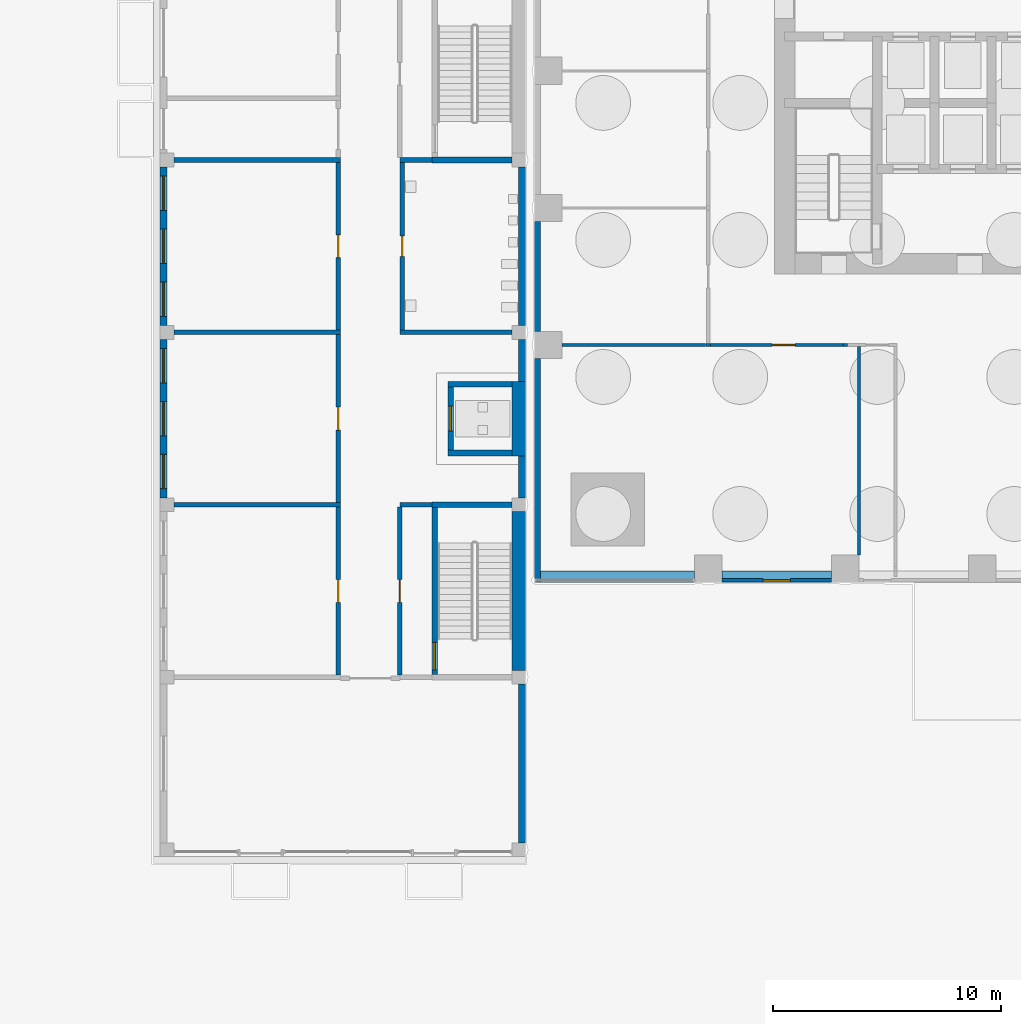
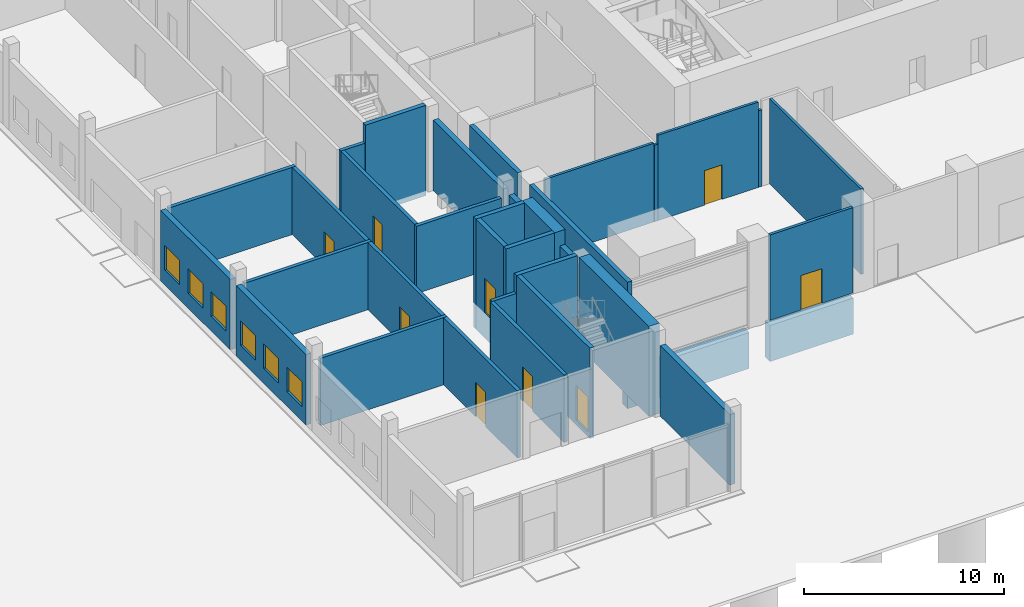
# One storey, part 10 of 33: 35 walls, 9 doors, 6 windows, 15 openings.
"""IFC4 building model written with IfcOpenShell, lengths in metres."""

from ifc_helpers import new_model, si_unit, direction, frame, frame_2d, origin, place, context, subcontext, project, spatial, rectangle, extrude, material, layer, layer_set, type_object, element, fill, save


model = new_model("IFC4")

# Units and contexts
model_context = context("Model", 3, precision=1e-05, world=origin(), true_north=direction((0.0, 1.0)))
body_context = subcontext(model_context, "Body", "Model", "MODEL_VIEW")
ifc_project = project(units=[si_unit("LENGTHUNIT", "METRE"), si_unit("AREAUNIT", "SQUARE_METRE"), si_unit("VOLUMEUNIT", "CUBIC_METRE"), si_unit("PLANEANGLEUNIT", "RADIAN"), si_unit("MASSUNIT", "GRAM", prefix="KILO")], contexts=[model_context])

# Site, building, storey
site_placement = place(None, origin())
site = spatial("IfcSite", under=ifc_project, at=site_placement, CompositionType="ELEMENT")
building_placement = place(site_placement, origin())
building = spatial("IfcBuilding", under=site, at=building_placement, Name="Amberfall Residences", CompositionType="ELEMENT")
storey_placement = place(building_placement, origin())
storey = spatial("IfcBuildingStorey", under=building, at=storey_placement, Name="L00", CompositionType="ELEMENT", Elevation=0.0)

# Wall, opening, door
ifc_material_1 = material(Name="Bronze anodised aluminium frame", Category="aluminium")
ifc_layer_1 = layer(ifc_material_1, 0.159912109375)
ifc_layer_set_1 = layer_set([ifc_layer_1], Name="Entrance frame wall 160")
wall_type_1 = type_object("IfcWallType", Name="Entrance frame wall 160", PredefinedType="SOLIDWALL", material=ifc_layer_set_1)
wall_1_placement = place(storey_placement, frame((60.199951171875, 20.10009765625, 0.0), z_axis=(0.0, 0.0, 1.0), x_axis=(1.0, 0.0, 0.0)))
wall_1 = element("IfcWall", 1, at=wall_1_placement, inside=storey, type_object=wall_type_1, Name="Entrance frame wall S2", PredefinedType="SOLIDWALL", context=body_context, shape_type="SweptSolid", body=[
    extrude(rectangle(XDim=4.800048828125, YDim=0.159912109375, at=frame_2d((2.39990234375, 0.0))), origin(), (0.0, 0.0, 1.0), 5.199951171875),
])
opening_1_placement = place(wall_1_placement, frame((1.800048828125, 0.0, 0.0)))
opening_1 = element("IfcOpeningElement", 2, at=opening_1_placement, cuts=wall_1, Name="Opening D14", PredefinedType="OPENING", context=body_context, shape_type="SweptSolid", body=[
    extrude(rectangle(XDim=1.199951171875, YDim=2.10009765625, at=frame_2d((0.60009765625, 1.050048828125))), frame((0.0, 0.08984375, 0.0), z_axis=(0.0, -1.0, 0.0), x_axis=(1.0, 0.0, 0.0)), (0.0, 0.0, 1.0), 0.179931640625),
])
ifc_material_2 = material(Name="Galvanised steel door leaf", Category="steel")
door_type_1 = type_object("IfcDoorType", Name="External door 1200x2100", OperationType="SINGLE_SWING_LEFT", PredefinedType="DOOR", material=ifc_material_2)
door_1_placement = place(opening_1_placement, origin())
door_1 = element("IfcDoor", 3, at=door_1_placement, inside=storey, type_object=door_type_1, Name="Exit door", OperationType="SINGLE_SWING_LEFT", OverallHeight=2.10009765625, OverallWidth=1.199951171875, PredefinedType="DOOR", context=body_context, shape_type="SweptSolid", body=[
    extrude(rectangle(XDim=1.199951171875, YDim=2.10009765625, at=frame_2d((0.60009765625, 1.050048828125))), frame((0.0, 0.02490234375, 0.0), z_axis=(0.0, -1.0, 0.0), x_axis=(1.0, 0.0, 0.0)), (0.0, 0.0, 1.0), 0.050048828125),
])
fill(opening_1, door_1)

# Walls
ifc_material_3 = material(Name="Concrete C45", Category="concrete")
ifc_layer_2 = layer(ifc_material_3, 0.5)
ifc_layer_set_2 = layer_set([ifc_layer_2], Name="Foundation plinth wall 500 C45")
wall_type_2 = type_object("IfcWallType", Name="Foundation plinth wall 500 C45", PredefinedType="SOLIDWALL", material=ifc_layer_set_2)
wall_2_placement = place(storey_placement, frame((52.0, 20.25, -2.5), z_axis=(0.0, 0.0, 1.0), x_axis=(1.0, 0.0, 0.0)))
element("IfcWall", 4, at=wall_2_placement, inside=storey, type_object=wall_type_2, Name="Foundation plinth wall FW1 S1", PredefinedType="SOLIDWALL", context=body_context, shape_type="SweptSolid", body=[
    extrude(rectangle(XDim=7.0, YDim=0.5, at=frame_2d((3.5, 0.0))), origin(), (0.0, 0.0, 1.0), 2.199951171875),
])
wall_3_placement = place(storey_placement, frame((60.199951171875, 20.25, -2.5), z_axis=(0.0, 0.0, 1.0), x_axis=(1.0, 0.0, 0.0)))
element("IfcWall", 5, at=wall_3_placement, inside=storey, type_object=wall_type_2, Name="Foundation plinth wall FW1 S2", PredefinedType="SOLIDWALL", context=body_context, shape_type="SweptSolid", body=[
    extrude(rectangle(XDim=4.800048828125, YDim=0.5, at=frame_2d((2.39990234375, 0.0))), origin(), (0.0, 0.0, 1.0), 2.199951171875),
])
ifc_material_4 = material(Name="Fire-rated gypsum board on steel studs", Category="steel")
ifc_layer_3 = layer(ifc_material_4, 0.14990234375)
ifc_layer_set_3 = layer_set([ifc_layer_3], Name="Partition 150 fire-rated")
wall_type_3 = type_object("IfcWallType", Name="Partition 150 fire-rated", PredefinedType="PARTITIONING", material=ifc_layer_set_3)
wall_4_placement = place(storey_placement, frame((53.199951171875, 30.39990234375, 0.0), z_axis=(0.0, 0.0, 1.0), x_axis=(1.0, 0.0, 0.0)))
element("IfcWall", 6, at=wall_4_placement, inside=storey, type_object=wall_type_3, Name="Partition 150 fire-rated L00 001", PredefinedType="PARTITIONING", context=body_context, shape_type="SweptSolid", body=[
    extrude(rectangle(XDim=6.280029296875, YDim=0.14990234375, at=frame_2d((3.14013671875, 0.0))), origin(), (0.0, 0.0, 1.0), 4.797119140625),
])
wall_5_placement = place(storey_placement, frame((59.49462890625, 30.39990234375, 0.0), z_axis=(0.0, 0.0, 1.0), x_axis=(1.0, 0.0, 0.0)))
element("IfcWall", 7, at=wall_5_placement, inside=storey, type_object=wall_type_3, Name="Partition 150 fire-rated L00 002", PredefinedType="PARTITIONING", context=body_context, shape_type="SweptSolid", body=[
    extrude(rectangle(XDim=0.210693359375, YDim=0.14990234375, at=frame_2d((0.10546875, 0.0))), origin(), (0.0, 0.0, 1.0), 4.659912109375),
])

# Wall, opening, door
wall_6_placement = place(storey_placement, frame((59.705322265625, 30.39990234375, 0.0), z_axis=(0.0, 0.0, 1.0), x_axis=(1.0, 0.0, 0.0)))
wall_6 = element("IfcWall", 8, at=wall_6_placement, inside=storey, type_object=wall_type_3, Name="Partition 150 fire-rated L00 003", PredefinedType="PARTITIONING", context=body_context, shape_type="SweptSolid", body=[
    extrude(rectangle(XDim=5.789306640625, YDim=0.14990234375, at=frame_2d((2.89453125, 0.0))), origin(), (0.0, 0.0, 1.0), 5.199951171875),
])
opening_2_placement = place(wall_6_placement, frame((2.694580078125, 0.0, 0.0)))
opening_2 = element("IfcOpeningElement", 9, at=opening_2_placement, cuts=wall_6, Name="Opening D2", PredefinedType="OPENING", context=body_context, shape_type="SweptSolid", body=[
    extrude(rectangle(XDim=1.0, YDim=2.10009765625, at=frame_2d((0.5, 1.050048828125))), frame((0.0, 0.0849609375, 0.0), z_axis=(0.0, -1.0, 0.0), x_axis=(1.0, 0.0, 0.0)), (0.0, 0.0, 1.0), 0.169921875),
])
ifc_material_5 = material(Name="Steel fire door leaf", Category="steel")
door_type_2 = type_object("IfcDoorType", Name="Fire door 1000x2100 FD30S", OperationType="SINGLE_SWING_LEFT", PredefinedType="DOOR", material=ifc_material_5)
door_2_placement = place(opening_2_placement, origin())
door_2 = element("IfcDoor", 10, at=door_2_placement, inside=storey, type_object=door_type_2, Name="Door Concierge and mail room", OperationType="SINGLE_SWING_LEFT", OverallHeight=2.10009765625, OverallWidth=1.0, PredefinedType="DOOR", context=body_context, shape_type="SweptSolid", body=[
    extrude(rectangle(XDim=1.0, YDim=2.10009765625, at=frame_2d((0.5, 1.050048828125))), frame((0.0, 0.02490234375, 0.0), z_axis=(0.0, -1.0, 0.0), x_axis=(1.0, 0.0, 0.0)), (0.0, 0.0, 1.0), 0.050048828125),
])
fill(opening_2, door_2)

# Walls
wall_7_placement = place(storey_placement, frame((65.49462890625, 30.39990234375, 0.0), z_axis=(0.0, 0.0, 1.0), x_axis=(1.0, 0.0, 0.0)))
element("IfcWall", 11, at=wall_7_placement, inside=storey, type_object=wall_type_3, Name="Partition 150 fire-rated L00 004", PredefinedType="PARTITIONING", context=body_context, shape_type="SweptSolid", body=[
    extrude(rectangle(XDim=0.210693359375, YDim=0.14990234375, at=frame_2d((0.10546875, 0.0))), origin(), (0.0, 0.0, 1.0), 4.659912109375),
])
wall_8_placement = place(storey_placement, frame((66.199951171875, 21.199951171875, 0.0), z_axis=(0.0, 0.0, 1.0), x_axis=(0.0, 1.0, 0.0)))
element("IfcWall", 12, at=wall_8_placement, inside=storey, type_object=wall_type_3, Name="Partition 150 fire-rated L00 033", PredefinedType="PARTITIONING", context=body_context, shape_type="SweptSolid", body=[
    extrude(rectangle(XDim=9.125, YDim=0.14990234375, at=frame_2d((4.5625, 0.0))), origin(), (0.0, 0.0, 1.0), 5.199951171875),
])
ifc_material_6 = material(Name="Precast concrete C40", Category="concrete")
ifc_layer_4 = layer(ifc_material_6, 0.25)
ifc_layer_set_4 = layer_set([ifc_layer_4], Name="Podium external wall 250")
wall_type_4 = type_object("IfcWallType", Name="Podium external wall 250", PredefinedType="SOLIDWALL", material=ifc_layer_set_4)
wall_9_placement = place(storey_placement, frame((52.125, 20.0, 0.0), z_axis=(0.0, 0.0, 1.0), x_axis=(0.0, 1.0, 0.0)))
element("IfcWall", 13, at=wall_9_placement, inside=storey, type_object=wall_type_4, Name="Podium external wall W1", PredefinedType="SOLIDWALL", context=body_context, shape_type="SweptSolid", body=[
    extrude(rectangle(XDim=9.800048828125, YDim=0.25, at=frame_2d((4.89990234375, 0.0))), origin(), (0.0, 0.0, 1.0), 5.199951171875),
])
wall_10_placement = place(storey_placement, frame((52.125, 31.0, 0.0), z_axis=(0.0, 0.0, 1.0), x_axis=(0.0, 1.0, 0.0)))
element("IfcWall", 14, at=wall_10_placement, inside=storey, type_object=wall_type_4, Name="Podium external wall W2", PredefinedType="SOLIDWALL", context=body_context, shape_type="SweptSolid", body=[
    extrude(rectangle(XDim=4.800048828125, YDim=0.25, at=frame_2d((2.39990234375, 0.0))), origin(), (0.0, 0.0, 1.0), 5.199951171875),
])

# Wall, openings, windows
ifc_material_7 = material(Name="Aerated block wall")
ifc_layer_5 = layer(ifc_material_7, 0.300048828125)
ifc_layer_set_5 = layer_set([ifc_layer_5], Name="School external wall 300")
wall_type_5 = type_object("IfcWallType", Name="School external wall 300", PredefinedType="SOLIDWALL", material=ifc_layer_set_5)
wall_11_placement = place(storey_placement, frame((35.75, 23.699951171875, 0.0), z_axis=(0.0, 0.0, 1.0), x_axis=(0.0, 1.0, 0.0)))
wall_11 = element("IfcWall", 15, at=wall_11_placement, inside=storey, type_object=wall_type_5, Name="School external wall L00 EW2", PredefinedType="SOLIDWALL", context=body_context, shape_type="SweptSolid", body=[
    extrude(rectangle(XDim=6.949951171875, YDim=0.300048828125, at=frame_2d((3.47509765625, 0.0))), origin(), (0.0, 0.0, 1.0), 4.300048828125),
])
opening_3_placement = place(wall_11_placement, frame((0.408203125, 0.0, 0.89990234375)))
opening_3 = element("IfcOpeningElement", 16, at=opening_3_placement, cuts=wall_11, Name="Opening SWN1", PredefinedType="OPENING", context=body_context, shape_type="SweptSolid", body=[
    extrude(rectangle(XDim=1.5, YDim=1.5, at=frame_2d((0.75, 0.75))), frame((0.0, 0.159912109375, 0.0), z_axis=(0.0, -1.0, 0.0), x_axis=(1.0, 0.0, 0.0)), (0.0, 0.0, 1.0), 0.320068359375),
])
opening_4_placement = place(wall_11_placement, frame((2.72509765625, 0.0, 0.89990234375)))
opening_4 = element("IfcOpeningElement", 17, at=opening_4_placement, cuts=wall_11, Name="Opening SWN1", PredefinedType="OPENING", context=body_context, shape_type="SweptSolid", body=[
    extrude(rectangle(XDim=1.5, YDim=1.5, at=frame_2d((0.75, 0.75))), frame((0.0, 0.159912109375, 0.0), z_axis=(0.0, -1.0, 0.0), x_axis=(1.0, 0.0, 0.0)), (0.0, 0.0, 1.0), 0.320068359375),
])
opening_5_placement = place(wall_11_placement, frame((5.041748046875, 0.0, 0.89990234375)))
opening_5 = element("IfcOpeningElement", 18, at=opening_5_placement, cuts=wall_11, Name="Opening SWN1", PredefinedType="OPENING", context=body_context, shape_type="SweptSolid", body=[
    extrude(rectangle(XDim=1.5, YDim=1.5, at=frame_2d((0.75, 0.75))), frame((0.0, 0.159912109375, 0.0), z_axis=(0.0, -1.0, 0.0), x_axis=(1.0, 0.0, 0.0)), (0.0, 0.0, 1.0), 0.320068359375),
])
ifc_material_8 = material(Name="Aluminium window", Category="aluminium")
window_type = type_object("IfcWindowType", Name="School window 1500 x 1500", PartitioningType="DOUBLE_PANEL_HORIZONTAL", PredefinedType="WINDOW", material=ifc_material_8)
window_1_placement = place(opening_3_placement, origin())
window_1 = element("IfcWindow", 19, at=window_1_placement, inside=storey, type_object=window_type, Name="School window L00 EW2-1", OverallHeight=1.5, OverallWidth=1.5, PartitioningType="DOUBLE_PANEL_HORIZONTAL", PredefinedType="WINDOW", context=body_context, shape_type="SweptSolid", body=[
    extrude(rectangle(XDim=1.5, YDim=1.5, at=frame_2d((0.75, 0.75))), frame((0.0, 0.030029296875, 0.0), z_axis=(0.0, -1.0, 0.0), x_axis=(1.0, 0.0, 0.0)), (0.0, 0.0, 1.0), 0.06005859375),
])
fill(opening_3, window_1)
window_2_placement = place(opening_4_placement, origin())
window_2 = element("IfcWindow", 20, at=window_2_placement, inside=storey, type_object=window_type, Name="School window L00 EW2-2", OverallHeight=1.5, OverallWidth=1.5, PartitioningType="DOUBLE_PANEL_HORIZONTAL", PredefinedType="WINDOW", context=body_context, shape_type="SweptSolid", body=[
    extrude(rectangle(XDim=1.5, YDim=1.5, at=frame_2d((0.75, 0.75))), frame((0.0, 0.030029296875, 0.0), z_axis=(0.0, -1.0, 0.0), x_axis=(1.0, 0.0, 0.0)), (0.0, 0.0, 1.0), 0.06005859375),
])
fill(opening_4, window_2)
window_3_placement = place(opening_5_placement, origin())
window_3 = element("IfcWindow", 21, at=window_3_placement, inside=storey, type_object=window_type, Name="School window L00 EW2-3", OverallHeight=1.5, OverallWidth=1.5, PartitioningType="DOUBLE_PANEL_HORIZONTAL", PredefinedType="WINDOW", context=body_context, shape_type="SweptSolid", body=[
    extrude(rectangle(XDim=1.5, YDim=1.5, at=frame_2d((0.75, 0.75))), frame((0.0, 0.030029296875, 0.0), z_axis=(0.0, -1.0, 0.0), x_axis=(1.0, 0.0, 0.0)), (0.0, 0.0, 1.0), 0.06005859375),
])
fill(opening_5, window_3)

wall_12_placement = place(storey_placement, frame((35.75, 31.25, 0.0), z_axis=(0.0, 0.0, 1.0), x_axis=(0.0, 1.0, 0.0)))
wall_12 = element("IfcWall", 22, at=wall_12_placement, inside=storey, type_object=wall_type_5, Name="School external wall L00 EW3", PredefinedType="SOLIDWALL", context=body_context, shape_type="SweptSolid", body=[
    extrude(rectangle(XDim=6.949951171875, YDim=0.300048828125, at=frame_2d((3.47509765625, 0.0))), origin(), (0.0, 0.0, 1.0), 4.300048828125),
])
opening_6_placement = place(wall_12_placement, frame((0.408203125, 0.0, 0.89990234375)))
opening_6 = element("IfcOpeningElement", 23, at=opening_6_placement, cuts=wall_12, Name="Opening SWN1", PredefinedType="OPENING", context=body_context, shape_type="SweptSolid", body=[
    extrude(rectangle(XDim=1.5, YDim=1.5, at=frame_2d((0.75, 0.75))), frame((0.0, 0.159912109375, 0.0), z_axis=(0.0, -1.0, 0.0), x_axis=(1.0, 0.0, 0.0)), (0.0, 0.0, 1.0), 0.320068359375),
])
opening_7_placement = place(wall_12_placement, frame((2.72509765625, 0.0, 0.89990234375)))
opening_7 = element("IfcOpeningElement", 24, at=opening_7_placement, cuts=wall_12, Name="Opening SWN1", PredefinedType="OPENING", context=body_context, shape_type="SweptSolid", body=[
    extrude(rectangle(XDim=1.5, YDim=1.5, at=frame_2d((0.75, 0.75))), frame((0.0, 0.159912109375, 0.0), z_axis=(0.0, -1.0, 0.0), x_axis=(1.0, 0.0, 0.0)), (0.0, 0.0, 1.0), 0.320068359375),
])
opening_8_placement = place(wall_12_placement, frame((5.041748046875, 0.0, 0.89990234375)))
opening_8 = element("IfcOpeningElement", 25, at=opening_8_placement, cuts=wall_12, Name="Opening SWN1", PredefinedType="OPENING", context=body_context, shape_type="SweptSolid", body=[
    extrude(rectangle(XDim=1.5, YDim=1.5, at=frame_2d((0.75, 0.75))), frame((0.0, 0.159912109375, 0.0), z_axis=(0.0, -1.0, 0.0), x_axis=(1.0, 0.0, 0.0)), (0.0, 0.0, 1.0), 0.320068359375),
])
window_4_placement = place(opening_6_placement, origin())
window_4 = element("IfcWindow", 26, at=window_4_placement, inside=storey, type_object=window_type, Name="School window L00 EW3-1", OverallHeight=1.5, OverallWidth=1.5, PartitioningType="DOUBLE_PANEL_HORIZONTAL", PredefinedType="WINDOW", context=body_context, shape_type="SweptSolid", body=[
    extrude(rectangle(XDim=1.5, YDim=1.5, at=frame_2d((0.75, 0.75))), frame((0.0, 0.030029296875, 0.0), z_axis=(0.0, -1.0, 0.0), x_axis=(1.0, 0.0, 0.0)), (0.0, 0.0, 1.0), 0.06005859375),
])
fill(opening_6, window_4)
window_5_placement = place(opening_7_placement, origin())
window_5 = element("IfcWindow", 27, at=window_5_placement, inside=storey, type_object=window_type, Name="School window L00 EW3-2", OverallHeight=1.5, OverallWidth=1.5, PartitioningType="DOUBLE_PANEL_HORIZONTAL", PredefinedType="WINDOW", context=body_context, shape_type="SweptSolid", body=[
    extrude(rectangle(XDim=1.5, YDim=1.5, at=frame_2d((0.75, 0.75))), frame((0.0, 0.030029296875, 0.0), z_axis=(0.0, -1.0, 0.0), x_axis=(1.0, 0.0, 0.0)), (0.0, 0.0, 1.0), 0.06005859375),
])
fill(opening_7, window_5)
window_6_placement = place(opening_8_placement, origin())
window_6 = element("IfcWindow", 28, at=window_6_placement, inside=storey, type_object=window_type, Name="School window L00 EW3-3", OverallHeight=1.5, OverallWidth=1.5, PartitioningType="DOUBLE_PANEL_HORIZONTAL", PredefinedType="WINDOW", context=body_context, shape_type="SweptSolid", body=[
    extrude(rectangle(XDim=1.5, YDim=1.5, at=frame_2d((0.75, 0.75))), frame((0.0, 0.030029296875, 0.0), z_axis=(0.0, -1.0, 0.0), x_axis=(1.0, 0.0, 0.0)), (0.0, 0.0, 1.0), 0.06005859375),
])
fill(opening_8, window_6)

# Walls
for number, where, z_axis, x_axis, name in (
    (29, (51.449951171875, 8.60009765625, 0.0), (0.0, 0.0, 1.0), (0.0, 1.0, 0.0), "School external wall L00 ET0"),
    (30, (51.449951171875, 31.25, 0.0), (0.0, 0.0, 1.0), (0.0, 1.0, 0.0), "School external wall L00 ET3"),
):
    element("IfcWall", number, at=place(storey_placement, frame(where, z_axis=z_axis, x_axis=x_axis)), inside=storey, type_object=wall_type_5, Name=name, PredefinedType="SOLIDWALL", context=body_context, shape_type="SweptSolid", body=[
        extrude(rectangle(XDim=6.949951171875, YDim=0.300048828125, at=frame_2d((3.47509765625, 0.0))), origin(), (0.0, 0.0, 1.0), 4.300048828125),
    ])
wall_13_placement = place(storey_placement, frame((51.449951171875, 23.699951171875, 0.0), z_axis=(0.0, 0.0, 1.0), x_axis=(0.0, 1.0, 0.0)))
element("IfcWall", 31, at=wall_13_placement, inside=storey, type_object=wall_type_5, Name="School external wall L00 ET2a", PredefinedType="SOLIDWALL", context=body_context, shape_type="SweptSolid", body=[
    extrude(rectangle(XDim=1.85009765625, YDim=0.300048828125, at=frame_2d((0.925048828125, 0.0))), origin(), (0.0, 0.0, 1.0), 4.300048828125),
])
wall_14_placement = place(storey_placement, frame((51.449951171875, 28.800048828125, 0.0), z_axis=(0.0, 0.0, 1.0), x_axis=(0.0, 1.0, 0.0)))
element("IfcWall", 32, at=wall_14_placement, inside=storey, type_object=wall_type_5, Name="School external wall L00 ET2b", PredefinedType="SOLIDWALL", context=body_context, shape_type="SweptSolid", body=[
    extrude(rectangle(XDim=1.849853515625, YDim=0.300048828125, at=frame_2d((0.9248046875, 0.0))), origin(), (0.0, 0.0, 1.0), 4.300048828125),
])

# Wall, opening, door
ifc_layer_6 = layer(ifc_material_7, 0.199951171875)
ifc_layer_set_6 = layer_set([ifc_layer_6], Name="School partition 200")
wall_type_6 = type_object("IfcWallType", Name="School partition 200", PredefinedType="PARTITIONING", material=ifc_layer_set_6)
wall_15_placement = place(storey_placement, frame((43.39990234375, 15.949951171875, 0.0), z_axis=(0.0, 0.0, 1.0), x_axis=(0.0, 1.0, 0.0)))
wall_15 = element("IfcWall", 33, at=wall_15_placement, inside=storey, type_object=wall_type_6, Name="School partition L00 CWW1", PredefinedType="PARTITIONING", context=body_context, shape_type="SweptSolid", body=[
    extrude(rectangle(XDim=7.35009765625, YDim=0.199951171875, at=frame_2d((3.675048828125, 0.0))), origin(), (0.0, 0.0, 1.0), 4.10009765625),
])
opening_9_placement = place(wall_15_placement, frame((3.175048828125, 0.0, 0.0)))
opening_9 = element("IfcOpeningElement", 34, at=opening_9_placement, cuts=wall_15, Name="Opening SD5", PredefinedType="OPENING", context=body_context, shape_type="SweptSolid", body=[
    extrude(rectangle(XDim=1.0, YDim=2.10009765625, at=frame_2d((0.5, 1.050048828125))), frame((0.0, 0.10986328125, 0.0), z_axis=(0.0, -1.0, 0.0), x_axis=(1.0, 0.0, 0.0)), (0.0, 0.0, 1.0), 0.219970703125),
])
ifc_material_9 = material(Name="Timber door", Category="wood")
door_type_3 = type_object("IfcDoorType", Name="School classroom door 1000 x 2100", OperationType="SINGLE_SWING_LEFT", PredefinedType="DOOR", material=ifc_material_9)
door_3_placement = place(opening_9_placement, origin())
door_3 = element("IfcDoor", 35, at=door_3_placement, inside=storey, type_object=door_type_3, Name="School door L00 CWW1-1", OperationType="SINGLE_SWING_LEFT", OverallHeight=2.10009765625, OverallWidth=1.0, PredefinedType="DOOR", context=body_context, shape_type="SweptSolid", body=[
    extrude(rectangle(XDim=1.0, YDim=2.10009765625, at=frame_2d((0.5, 1.050048828125))), frame((0.0, 0.02490234375, 0.0), z_axis=(0.0, -1.0, 0.0), x_axis=(1.0, 0.0, 0.0)), (0.0, 0.0, 1.0), 0.050048828125),
])
fill(opening_9, door_3)

wall_16_placement = place(storey_placement, frame((43.39990234375, 23.5, 0.0), z_axis=(0.0, 0.0, 1.0), x_axis=(0.0, 1.0, 0.0)))
wall_16 = element("IfcWall", 36, at=wall_16_placement, inside=storey, type_object=wall_type_6, Name="School partition L00 CWW2", PredefinedType="PARTITIONING", context=body_context, shape_type="SweptSolid", body=[
    extrude(rectangle(XDim=7.35009765625, YDim=0.199951171875, at=frame_2d((3.675048828125, 0.0))), origin(), (0.0, 0.0, 1.0), 4.10009765625),
])
opening_10_placement = place(wall_16_placement, frame((3.175048828125, 0.0, 0.0)))
opening_10 = element("IfcOpeningElement", 37, at=opening_10_placement, cuts=wall_16, Name="Opening SD5", PredefinedType="OPENING", context=body_context, shape_type="SweptSolid", body=[
    extrude(rectangle(XDim=1.0, YDim=2.10009765625, at=frame_2d((0.5, 1.050048828125))), frame((0.0, 0.10986328125, 0.0), z_axis=(0.0, -1.0, 0.0), x_axis=(1.0, 0.0, 0.0)), (0.0, 0.0, 1.0), 0.219970703125),
])
door_4_placement = place(opening_10_placement, origin())
door_4 = element("IfcDoor", 38, at=door_4_placement, inside=storey, type_object=door_type_3, Name="School door L00 CWW2-1", OperationType="SINGLE_SWING_LEFT", OverallHeight=2.10009765625, OverallWidth=1.0, PredefinedType="DOOR", context=body_context, shape_type="SweptSolid", body=[
    extrude(rectangle(XDim=1.0, YDim=2.10009765625, at=frame_2d((0.5, 1.050048828125))), frame((0.0, 0.02490234375, 0.0), z_axis=(0.0, -1.0, 0.0), x_axis=(1.0, 0.0, 0.0)), (0.0, 0.0, 1.0), 0.050048828125),
])
fill(opening_10, door_4)

wall_17_placement = place(storey_placement, frame((43.39990234375, 31.050048828125, 0.0), z_axis=(0.0, 0.0, 1.0), x_axis=(0.0, 1.0, 0.0)))
wall_17 = element("IfcWall", 39, at=wall_17_placement, inside=storey, type_object=wall_type_6, Name="School partition L00 CWW3", PredefinedType="PARTITIONING", context=body_context, shape_type="SweptSolid", body=[
    extrude(rectangle(XDim=7.349853515625, YDim=0.199951171875, at=frame_2d((3.6748046875, 0.0))), origin(), (0.0, 0.0, 1.0), 4.10009765625),
])
opening_11_placement = place(wall_17_placement, frame((3.175048828125, 0.0, 0.0)))
opening_11 = element("IfcOpeningElement", 40, at=opening_11_placement, cuts=wall_17, Name="Opening SD5", PredefinedType="OPENING", context=body_context, shape_type="SweptSolid", body=[
    extrude(rectangle(XDim=1.0, YDim=2.10009765625, at=frame_2d((0.5, 1.050048828125))), frame((0.0, 0.10986328125, 0.0), z_axis=(0.0, -1.0, 0.0), x_axis=(1.0, 0.0, 0.0)), (0.0, 0.0, 1.0), 0.219970703125),
])
door_5_placement = place(opening_11_placement, origin())
door_5 = element("IfcDoor", 41, at=door_5_placement, inside=storey, type_object=door_type_3, Name="School door L00 CWW3-1", OperationType="SINGLE_SWING_LEFT", OverallHeight=2.10009765625, OverallWidth=1.0, PredefinedType="DOOR", context=body_context, shape_type="SweptSolid", body=[
    extrude(rectangle(XDim=1.0, YDim=2.10009765625, at=frame_2d((0.5, 1.050048828125))), frame((0.0, 0.02490234375, 0.0), z_axis=(0.0, -1.0, 0.0), x_axis=(1.0, 0.0, 0.0)), (0.0, 0.0, 1.0), 0.050048828125),
])
fill(opening_11, door_5)

# Walls
for number, where, z_axis, x_axis, name in (
    (42, (36.199951171875, 23.39990234375, 0.0), (0.0, 0.0, 1.0), (1.0, 0.0, 0.0), "School partition L00 PW2340"),
    (43, (36.199951171875, 30.949951171875, 0.0), (0.0, 0.0, 1.0), (1.0, 0.0, 0.0), "School partition L00 PW3095"),
    (44, (36.199951171875, 38.5, 0.0), (0.0, 0.0, 1.0), (1.0, 0.0, 0.0), "School partition L00 PW3850"),
):
    element("IfcWall", number, at=place(storey_placement, frame(where, z_axis=z_axis, x_axis=x_axis)), inside=storey, type_object=wall_type_6, Name=name, PredefinedType="PARTITIONING", context=body_context, shape_type="SweptSolid", body=[
        extrude(rectangle(XDim=7.300048828125, YDim=0.199951171875, at=frame_2d((3.64990234375, 0.0))), origin(), (0.0, 0.0, 1.0), 4.10009765625),
    ])

# Wall, opening, door
wall_18_placement = place(storey_placement, frame((46.199951171875, 31.050048828125, 0.0), z_axis=(0.0, 0.0, 1.0), x_axis=(0.0, 1.0, 0.0)))
wall_18 = element("IfcWall", 45, at=wall_18_placement, inside=storey, type_object=wall_type_6, Name="School partition L00 CWE331", PredefinedType="PARTITIONING", context=body_context, shape_type="SweptSolid", body=[
    extrude(rectangle(XDim=7.349853515625, YDim=0.199951171875, at=frame_2d((3.6748046875, 0.0))), origin(), (0.0, 0.0, 1.0), 4.10009765625),
])
opening_12_placement = place(wall_18_placement, frame((3.22509765625, 0.0, 0.0)))
opening_12 = element("IfcOpeningElement", 46, at=opening_12_placement, cuts=wall_18, Name="Opening SD2", PredefinedType="OPENING", context=body_context, shape_type="SweptSolid", body=[
    extrude(rectangle(XDim=0.89990234375, YDim=2.10009765625, at=frame_2d((0.449951171875, 1.050048828125))), frame((0.0, 0.10986328125, 0.0), z_axis=(0.0, -1.0, 0.0), x_axis=(1.0, 0.0, 0.0)), (0.0, 0.0, 1.0), 0.219970703125),
])
door_type_4 = type_object("IfcDoorType", Name="School WC door 900 x 2100", OperationType="SINGLE_SWING_LEFT", PredefinedType="DOOR", material=ifc_material_9)
door_6_placement = place(opening_12_placement, origin())
door_6 = element("IfcDoor", 47, at=door_6_placement, inside=storey, type_object=door_type_4, Name="School door L00 CWE331-1", OperationType="SINGLE_SWING_LEFT", OverallHeight=2.10009765625, OverallWidth=0.89990234375, PredefinedType="DOOR", context=body_context, shape_type="SweptSolid", body=[
    extrude(rectangle(XDim=0.89990234375, YDim=2.10009765625, at=frame_2d((0.449951171875, 1.050048828125))), frame((0.0, 0.02490234375, 0.0), z_axis=(0.0, -1.0, 0.0), x_axis=(1.0, 0.0, 0.0)), (0.0, 0.0, 1.0), 0.050048828125),
])
fill(opening_12, door_6)

# Walls
wall_19_placement = place(storey_placement, frame((46.10009765625, 23.39990234375, 0.0), z_axis=(0.0, 0.0, 1.0), x_axis=(1.0, 0.0, 0.0)))
element("IfcWall", 48, at=wall_19_placement, inside=storey, type_object=wall_type_6, Name="School partition L00 PEA2", PredefinedType="PARTITIONING", context=body_context, shape_type="SweptSolid", body=[
    extrude(rectangle(XDim=1.39990234375, YDim=0.199951171875, at=frame_2d((0.699951171875, 0.0))), origin(), (0.0, 0.0, 1.0), 4.10009765625),
])
wall_20_placement = place(storey_placement, frame((46.10009765625, 30.949951171875, 0.0), z_axis=(0.0, 0.0, 1.0), x_axis=(1.0, 0.0, 0.0)))
element("IfcWall", 49, at=wall_20_placement, inside=storey, type_object=wall_type_6, Name="School partition L00 PE3", PredefinedType="PARTITIONING", context=body_context, shape_type="SweptSolid", body=[
    extrude(rectangle(XDim=4.89990234375, YDim=0.199951171875, at=frame_2d((2.449951171875, 0.0))), origin(), (0.0, 0.0, 1.0), 4.10009765625),
])
wall_21_placement = place(storey_placement, frame((46.10009765625, 38.5, 0.0), z_axis=(0.0, 0.0, 1.0), x_axis=(1.0, 0.0, 0.0)))
element("IfcWall", 50, at=wall_21_placement, inside=storey, type_object=wall_type_6, Name="School partition L00 PEA4", PredefinedType="PARTITIONING", context=body_context, shape_type="SweptSolid", body=[
    extrude(rectangle(XDim=1.39990234375, YDim=0.199951171875, at=frame_2d((0.699951171875, 0.0))), origin(), (0.0, 0.0, 1.0), 4.10009765625),
])

# Wall, opening, door
wall_22_placement = place(storey_placement, frame((46.10009765625, 15.949951171875, 0.0), z_axis=(0.0, 0.0, 1.0), x_axis=(0.0, 1.0, 0.0)))
wall_22 = element("IfcWall", 51, at=wall_22_placement, inside=storey, type_object=wall_type_6, Name="School partition L00 CWLSS1", PredefinedType="PARTITIONING", context=body_context, shape_type="SweptSolid", body=[
    extrude(rectangle(XDim=7.35009765625, YDim=0.199951171875, at=frame_2d((3.675048828125, 0.0))), origin(), (0.0, 0.0, 1.0), 4.10009765625),
])
opening_13_placement = place(wall_22_placement, frame((3.175048828125, 0.0, 0.0)))
opening_13 = element("IfcOpeningElement", 52, at=opening_13_placement, cuts=wall_22, Name="Opening SD8", PredefinedType="OPENING", context=body_context, shape_type="SweptSolid", body=[
    extrude(rectangle(XDim=1.0, YDim=2.10009765625, at=frame_2d((0.5, 1.050048828125))), frame((0.0, 0.10986328125, 0.0), z_axis=(0.0, -1.0, 0.0), x_axis=(1.0, 0.0, 0.0)), (0.0, 0.0, 1.0), 0.219970703125),
])
door_type_5 = type_object("IfcDoorType", Name="School lobby door 1000 x 2100", OperationType="SINGLE_SWING_LEFT", PredefinedType="DOOR", material=ifc_material_9)
door_7_placement = place(opening_13_placement, origin())
door_7 = element("IfcDoor", 53, at=door_7_placement, inside=storey, type_object=door_type_5, Name="School door L00 CWLSS1-1", OperationType="SINGLE_SWING_LEFT", OverallHeight=2.10009765625, OverallWidth=1.0, PredefinedType="DOOR", context=body_context, shape_type="SweptSolid", body=[
    extrude(rectangle(XDim=1.0, YDim=2.10009765625, at=frame_2d((0.5, 1.050048828125))), frame((0.0, 0.02490234375, 0.0), z_axis=(0.0, -1.0, 0.0), x_axis=(1.0, 0.0, 0.0)), (0.0, 0.0, 1.0), 0.050048828125),
])
fill(opening_13, door_7)

ifc_material_10 = material(Name="Concrete C50", Category="concrete")
ifc_layer_7 = layer(ifc_material_10, 0.25)
ifc_layer_set_7 = layer_set([ifc_layer_7], Name="School stair core wall 250 C50")
wall_type_7 = type_object("IfcWallType", Name="School stair core wall 250 C50", PredefinedType="SHEAR", material=ifc_layer_set_7)
wall_23_placement = place(storey_placement, frame((47.625, 15.97509765625, -0.300048828125), z_axis=(0.0, 0.0, 1.0), x_axis=(0.0, 1.0, 0.0)))
wall_23 = element("IfcWall", 54, at=wall_23_placement, inside=storey, type_object=wall_type_7, Name="School core wall L00 SS1W", PredefinedType="SHEAR", context=body_context, shape_type="SweptSolid", body=[
    extrude(rectangle(XDim=7.2998046875, YDim=0.25, at=frame_2d((3.64990234375, 0.0))), origin(), (0.0, 0.0, 1.0), 5.5),
])
opening_14_placement = place(wall_23_placement, frame((0.199951171875, 0.0, 0.300048828125)))
opening_14 = element("IfcOpeningElement", 55, at=opening_14_placement, cuts=wall_23, Name="Opening SD4", PredefinedType="OPENING", context=body_context, shape_type="SweptSolid", body=[
    extrude(rectangle(XDim=1.199951171875, YDim=2.10009765625, at=frame_2d((0.60009765625, 1.050048828125))), frame((0.0, 0.135009765625, 0.0), z_axis=(0.0, -1.0, 0.0), x_axis=(1.0, 0.0, 0.0)), (0.0, 0.0, 1.0), 0.27001953125),
])
ifc_material_11 = material(Name="Steel fire door", Category="steel")
door_type_6 = type_object("IfcDoorType", Name="School stair door 1200 x 2100 FD120", OperationType="SINGLE_SWING_LEFT", PredefinedType="DOOR", material=ifc_material_11)
door_8_placement = place(opening_14_placement, origin())
door_8 = element("IfcDoor", 56, at=door_8_placement, inside=storey, type_object=door_type_6, Name="School stair door L00 SS1", OperationType="SINGLE_SWING_LEFT", OverallHeight=2.10009765625, OverallWidth=1.199951171875, PredefinedType="DOOR", context=body_context, shape_type="SweptSolid", body=[
    extrude(rectangle(XDim=1.199951171875, YDim=2.10009765625, at=frame_2d((0.60009765625, 1.050048828125))), frame((0.0, 0.02490234375, 0.0), z_axis=(0.0, -1.0, 0.0), x_axis=(1.0, 0.0, 0.0)), (0.0, 0.0, 1.0), 0.050048828125),
])
fill(opening_14, door_8)

# Walls
for number, where, z_axis, x_axis, name in (
    (57, (47.5, 23.39990234375, -0.300048828125), (0.0, 0.0, 1.0), (1.0, 0.0, 0.0), "School core wall L00 SS1N"),
    (58, (47.5, 38.5, -0.300048828125), (0.0, 0.0, 1.0), (1.0, 0.0, 0.0), "School core wall L00 SS2S"),
):
    element("IfcWall", number, at=place(storey_placement, frame(where, z_axis=z_axis, x_axis=x_axis)), inside=storey, type_object=wall_type_7, Name=name, PredefinedType="SHEAR", context=body_context, shape_type="SweptSolid", body=[
        extrude(rectangle(XDim=3.5, YDim=0.25, at=frame_2d((1.75, 0.0))), origin(), (0.0, 0.0, 1.0), 5.5),
    ])

# Wall, opening, door
wall_24_placement = place(storey_placement, frame((48.324951171875, 25.675048828125, -1.5), z_axis=(0.0, 0.0, 1.0), x_axis=(0.0, 1.0, 0.0)))
wall_24 = element("IfcWall", 59, at=wall_24_placement, inside=storey, type_object=wall_type_7, Name="School core wall L00 LFW", PredefinedType="SHEAR", context=body_context, shape_type="SweptSolid", body=[
    extrude(rectangle(XDim=3.0, YDim=0.25, at=frame_2d((1.5, 0.0))), origin(), (0.0, 0.0, 1.0), 6.699951171875),
])
opening_15_placement = place(wall_24_placement, frame((0.949951171875, 0.0, 1.5)))
opening_15 = element("IfcOpeningElement", 60, at=opening_15_placement, cuts=wall_24, Name="Opening SLD1", PredefinedType="OPENING", context=body_context, shape_type="SweptSolid", body=[
    extrude(rectangle(XDim=1.10009765625, YDim=2.10009765625, at=frame_2d((0.550048828125, 1.050048828125))), frame((0.0, 0.135009765625, 0.0), z_axis=(0.0, -1.0, 0.0), x_axis=(1.0, 0.0, 0.0)), (0.0, 0.0, 1.0), 0.27001953125),
])
ifc_material_12 = material(Name="Stainless steel door", Category="steel")
door_type_7 = type_object("IfcDoorType", Name="School lift landing door 1100 x 2100", OperationType="SLIDING_TO_LEFT", PredefinedType="DOOR", material=ifc_material_12)
door_9_placement = place(opening_15_placement, origin())
door_9 = element("IfcDoor", 61, at=door_9_placement, inside=storey, type_object=door_type_7, Name="Landing door L00 LS1", OperationType="SLIDING_TO_LEFT", OverallHeight=2.10009765625, OverallWidth=1.10009765625, PredefinedType="DOOR", context=body_context, shape_type="SweptSolid", body=[
    extrude(rectangle(XDim=1.10009765625, YDim=2.10009765625, at=frame_2d((0.550048828125, 1.050048828125))), frame((0.0, 0.02490234375, 0.0), z_axis=(0.0, -1.0, 0.0), x_axis=(1.0, 0.0, 0.0)), (0.0, 0.0, 1.0), 0.050048828125),
])
fill(opening_15, door_9)

# Walls
for number, where, z_axis, x_axis, name in (
    (62, (48.199951171875, 25.675048828125, -1.5), (0.0, 0.0, 1.0), (1.0, 0.0, 0.0), "School core wall L00 LFS"),
    (63, (48.199951171875, 28.675048828125, -1.5), (0.0, 0.0, 1.0), (1.0, 0.0, 0.0), "School core wall L00 LFN"),
):
    element("IfcWall", number, at=place(storey_placement, frame(where, z_axis=z_axis, x_axis=x_axis)), inside=storey, type_object=wall_type_7, Name=name, PredefinedType="SHEAR", context=body_context, shape_type="SweptSolid", body=[
        extrude(rectangle(XDim=2.800048828125, YDim=0.25, at=frame_2d((1.39990234375, 0.0))), origin(), (0.0, 0.0, 1.0), 6.699951171875),
    ])
ifc_layer_8 = layer(ifc_material_10, 0.60009765625)
ifc_layer_set_8 = layer_set([ifc_layer_8], Name="School tower-side core wall 600 C50")
wall_type_8 = type_object("IfcWallType", Name="School tower-side core wall 600 C50", PredefinedType="SHEAR", material=ifc_layer_set_8)
wall_25_placement = place(storey_placement, frame((51.300048828125, 16.14990234375, -0.300048828125), z_axis=(0.0, 0.0, 1.0), x_axis=(0.0, 1.0, 0.0)))
element("IfcWall", 64, at=wall_25_placement, inside=storey, type_object=wall_type_8, Name="School core wall L00 SS1E", PredefinedType="SHEAR", context=body_context, shape_type="SweptSolid", body=[
    extrude(rectangle(XDim=6.9501953125, YDim=0.60009765625, at=frame_2d((3.47509765625, 0.0))), origin(), (0.0, 0.0, 1.0), 5.5),
])
wall_26_placement = place(storey_placement, frame((51.300048828125, 25.550048828125, -1.5), z_axis=(0.0, 0.0, 1.0), x_axis=(0.0, 1.0, 0.0)))
element("IfcWall", 65, at=wall_26_placement, inside=storey, type_object=wall_type_8, Name="School core wall L00 LFE", PredefinedType="SHEAR", context=body_context, shape_type="SweptSolid", body=[
    extrude(rectangle(XDim=3.25, YDim=0.60009765625, at=frame_2d((1.625, 0.0))), origin(), (0.0, 0.0, 1.0), 6.699951171875),
])

save(model, "model.ifc")
